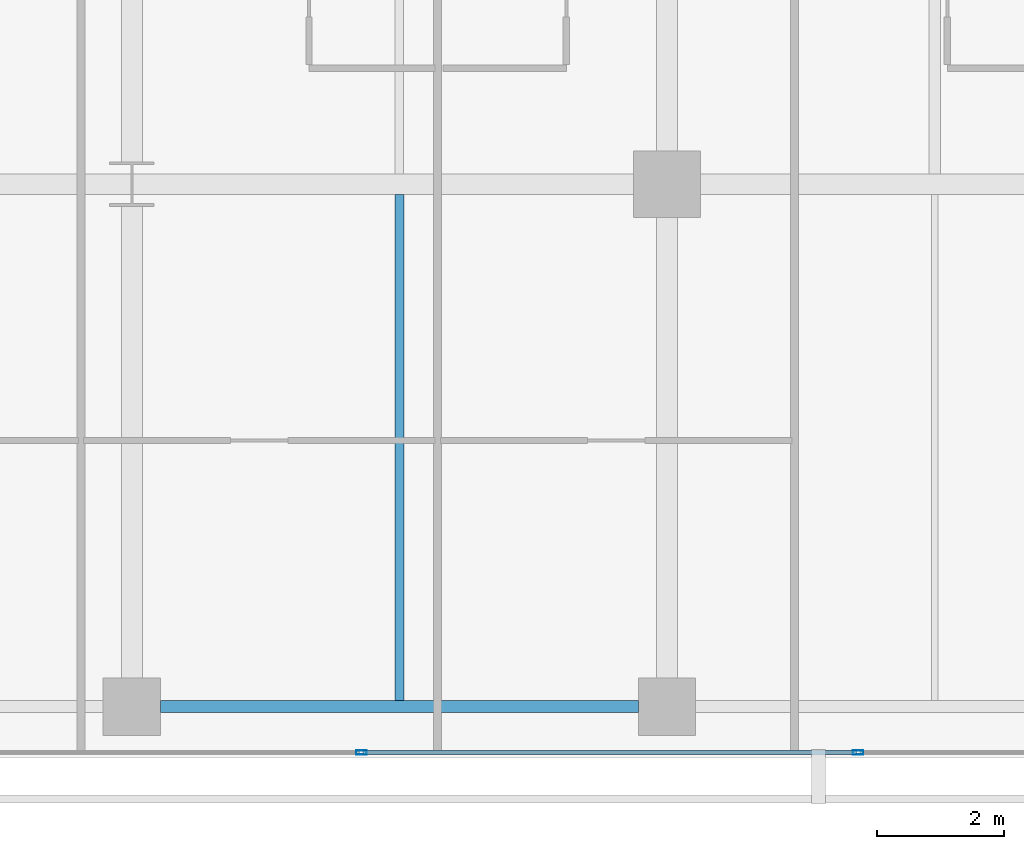
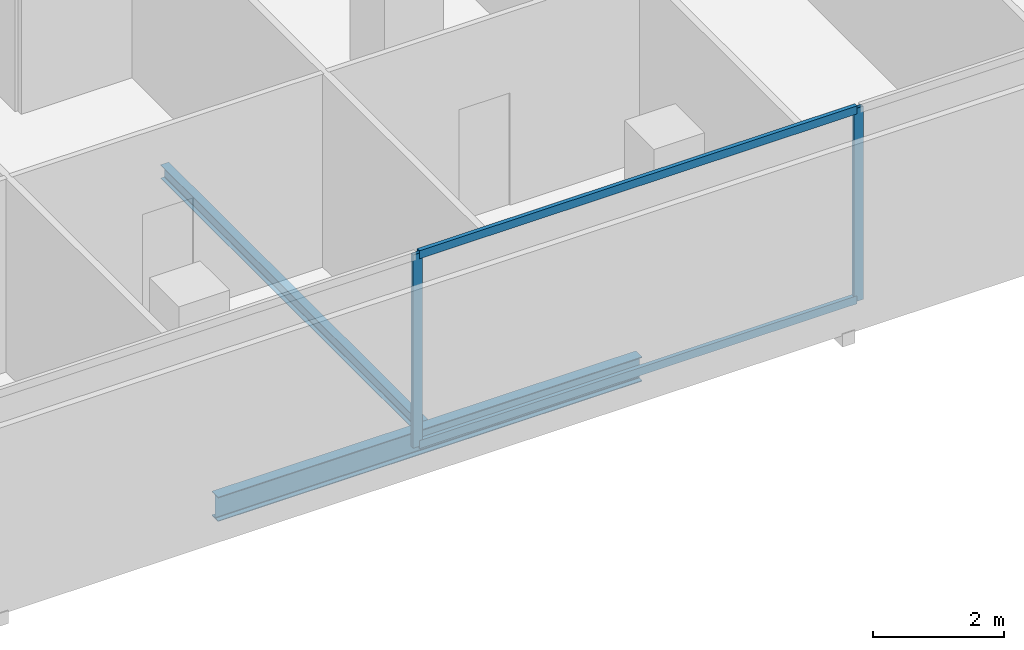
# One storey, part 14 of 40: 4 members, 2 beams, 1 element without a shape of its own.
"""IFC4 building model written with IfcOpenShell, lengths in metres."""

from ifc_helpers import new_model, si_unit, direction, frame, origin, origin_2d, place, context, subcontext, project, spatial, hollow_rectangle, i_section, extrude, material, layer, layer_set, material_profile, profile_set, type_object, element, aggregate, save


model = new_model("IFC4")

# Units and contexts
model_context = context("Model", 3, precision=1e-05, world=origin(), true_north=direction((0.0, 1.0)))
body_context = subcontext(model_context, "Body", "Model", "MODEL_VIEW")
ifc_project = project(units=[si_unit("LENGTHUNIT", "METRE"), si_unit("AREAUNIT", "SQUARE_METRE"), si_unit("VOLUMEUNIT", "CUBIC_METRE"), si_unit("PLANEANGLEUNIT", "RADIAN"), si_unit("MASSUNIT", "GRAM", prefix="KILO")], contexts=[model_context])

# Site, building, storey
site_placement = place(None, origin())
site = spatial("IfcSite", under=ifc_project, at=site_placement, CompositionType="ELEMENT")
building_placement = place(site_placement, origin())
building = spatial("IfcBuilding", under=site, at=building_placement, Name="Maruvema Waterfront Hotel and Observation Tower", CompositionType="ELEMENT")
storey_placement = place(building_placement, frame((0.0, 0.0, 57.75)))
storey = spatial("IfcBuildingStorey", under=building, at=storey_placement, Name="L13", CompositionType="ELEMENT", Elevation=57.75)

# Curtain wall, members
ifc_material_1 = material(Name="Anodised bronze aluminium and solar-control low-E IGU", Category="aluminium")
ifc_layer = layer(ifc_material_1, 0.159912109375, Name="Zone 1 Bronze Inner Thermal Curtain Wall System CW-02")
ifc_layer_set = layer_set([ifc_layer], Name="Anodised bronze aluminium and solar-control low-E IGU")
curtain_wall_type = type_object("IfcCurtainWallType", Name="Zone 1 Bronze Inner Thermal Curtain Wall System CW-02", PredefinedType="USERDEFINED", material=ifc_layer_set)
curtain_wall_placement = place(storey_placement, origin())
curtain_wall = element("IfcCurtainWall", 1, at=curtain_wall_placement, inside=storey, type_object=curtain_wall_type, Name="L13 Curtain Wall CW-L13-S", ObjectType="UNITISED CURTAIN WALL", PredefinedType="USERDEFINED")
ifc_material_2 = material(Name="Anodised architectural bronze aluminium", Category="aluminium")
ifc_material_profile_1 = material_profile(ifc_material_2, hollow_rectangle(XDim=0.070068359375, YDim=0.14990234375, WallThickness=0.00390625, at=origin_2d()), Name="ALU-T70x150")
ifc_profile_set_1 = profile_set([ifc_material_profile_1], Name="Anodised architectural bronze aluminium")
member_type_1 = type_object("IfcMemberType", Name="Curtain Wall Horizontal Transom ALU-T70x150", PredefinedType="USERDEFINED", material=ifc_profile_set_1)
member_1_placement = place(storey_placement, frame((45.6298828125, 0.080078125, 0.030029296875), z_axis=(1.0, 0.0, 0.0), x_axis=(0.0, 1.0, 0.0)))
member_1 = element("IfcMember", 2, at=member_1_placement, type_object=member_type_1, Name="CW-02 transom 5.1", ObjectType="TRANSOM", PredefinedType="USERDEFINED", context=body_context, shape_type="SweptSolid", body=[
    extrude(hollow_rectangle(XDim=0.070068359375, YDim=0.14990234375, WallThickness=0.00390625, at=origin_2d()), origin(), (0.0, 0.0, 1.0), 7.740234375),
])
member_2_placement = place(storey_placement, frame((45.6298828125, 0.080078125, 3.580078125), z_axis=(1.0, 0.0, 0.0), x_axis=(0.0, 1.0, 0.0)))
member_2 = element("IfcMember", 3, at=member_2_placement, type_object=member_type_1, Name="CW-02 transom 5.2", ObjectType="TRANSOM", PredefinedType="USERDEFINED", context=body_context, shape_type="SweptSolid", body=[
    extrude(hollow_rectangle(XDim=0.070068359375, YDim=0.14990234375, WallThickness=0.00390625, at=origin_2d()), origin(), (0.0, 0.0, 1.0), 7.740234375),
])
ifc_material_3 = material(Name="Anodised architectural bronze aluminium", Category="aluminium")
ifc_material_profile_2 = material_profile(ifc_material_3, hollow_rectangle(XDim=0.06494140625, YDim=0.1650390625, WallThickness=0.00390625, at=origin_2d()), Name="ALU-M65x165")
ifc_profile_set_2 = profile_set([ifc_material_profile_2], Name="Anodised architectural bronze aluminium")
member_type_2 = type_object("IfcMemberType", Name="Curtain Wall Primary Mullion ALU-M65x165", PredefinedType="MULLION", material=ifc_profile_set_2)
member_3_placement = place(storey_placement, frame((45.60009765625, 0.080078125, 0.0), z_axis=(0.0, 0.0, 1.0), x_axis=(0.0, 1.0, 0.0)))
member_3 = element("IfcMember", 4, at=member_3_placement, type_object=member_type_2, Name="CW-02 mullion 5", PredefinedType="MULLION", context=body_context, shape_type="SweptSolid", body=[
    extrude(hollow_rectangle(XDim=0.06494140625, YDim=0.1650390625, WallThickness=0.00390625, at=origin_2d()), origin(), (0.0, 0.0, 1.0), 3.610107421875),
])
member_4_placement = place(storey_placement, frame((53.39990234375, 0.080078125, 0.0), z_axis=(0.0, 0.0, 1.0), x_axis=(0.0, 1.0, 0.0)))
member_4 = element("IfcMember", 5, at=member_4_placement, type_object=member_type_2, Name="CW-02 mullion 6", PredefinedType="MULLION", context=body_context, shape_type="SweptSolid", body=[
    extrude(hollow_rectangle(XDim=0.06494140625, YDim=0.1650390625, WallThickness=0.00390625, at=origin_2d()), origin(), (0.0, 0.0, 1.0), 3.610107421875),
])
aggregate(curtain_wall, [member_3, member_4, member_1, member_2])

# Beams
ifc_material_4 = material(Name="Steel ASTM A572 Grade 50", Category="steel")
ifc_material_profile_3 = material_profile(ifc_material_4, i_section(OverallWidth=0.18994140625, OverallDepth=0.45703125, WebThickness=0.009033203125, FlangeThickness=0.014404296875, FilletRadius=0.014892578125, at=origin_2d()), Name="W460x74.0")
ifc_profile_set_3 = profile_set([ifc_material_profile_3], Name="Steel ASTM A572 Grade 50")
beam_type_1 = type_object("IfcBeamType", Name="Perimeter Spandrel Beam W460x74.0", PredefinedType="SPANDREL", material=ifc_profile_set_3)
beam_1_placement = place(storey_placement, frame((42.449951171875, 0.800048828125, -0.468505859375), z_axis=(1.0, 0.0, 0.0), x_axis=(0.0, 1.0, 0.0)))
element("IfcBeam", 6, at=beam_1_placement, inside=storey, type_object=beam_type_1, Name="L13 Floor Girder EW-04", PredefinedType="SPANDREL", context=body_context, shape_type="SweptSolid", body=[
    extrude(i_section(OverallWidth=0.18994140625, OverallDepth=0.45703125, WebThickness=0.009033203125, FlangeThickness=0.014404296875, FilletRadius=0.014892578125, at=origin_2d()), origin(), (0.0, 0.0, 1.0), 7.5),
])
ifc_material_5 = material(Name="Steel ASTM A572 Grade 50", Category="steel")
ifc_material_profile_4 = material_profile(ifc_material_5, i_section(OverallWidth=0.14599609375, OverallDepth=0.258056640625, WebThickness=0.006103515625, FlangeThickness=0.009033203125, FilletRadius=0.012939453125, at=origin_2d()), Name="W250x32.7")
ifc_profile_set_4 = profile_set([ifc_material_profile_4], Name="Steel ASTM A572 Grade 50")
beam_type_2 = type_object("IfcBeamType", Name="Secondary Floor Joist W250x32.7", PredefinedType="JOIST", material=ifc_profile_set_4)
beam_2_placement = place(storey_placement, frame((46.199951171875, 0.89501953125, -0.368896484375), z_axis=(0.0, 1.0, 0.0), x_axis=(-1.0, 0.0, 0.0)))
element("IfcBeam", 7, at=beam_2_placement, inside=storey, type_object=beam_type_2, Name="L13 Secondary Floor Joist JS-14", PredefinedType="JOIST", context=body_context, shape_type="SweptSolid", body=[
    extrude(i_section(OverallWidth=0.14599609375, OverallDepth=0.258056640625, WebThickness=0.006103515625, FlangeThickness=0.009033203125, FilletRadius=0.012939453125, at=origin_2d()), origin(), (0.0, 0.0, 1.0), 7.94140625),
])

save(model, "model.ifc")
